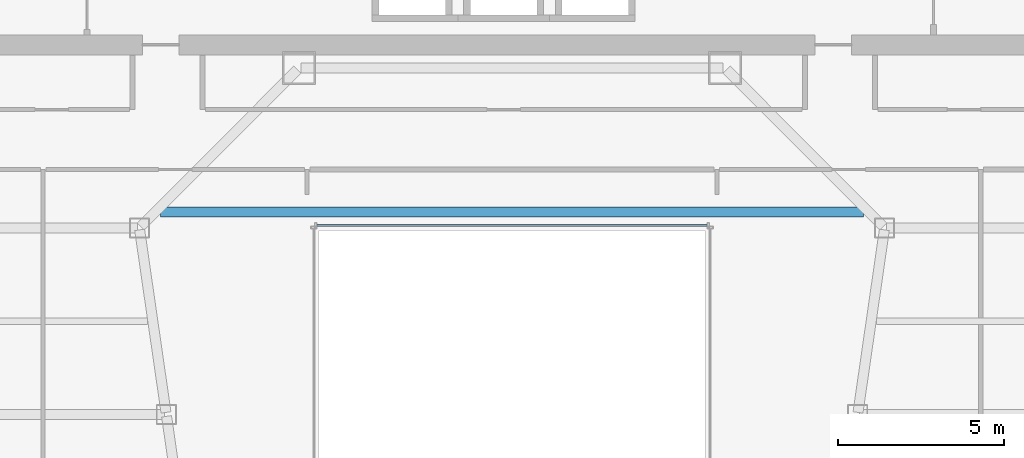
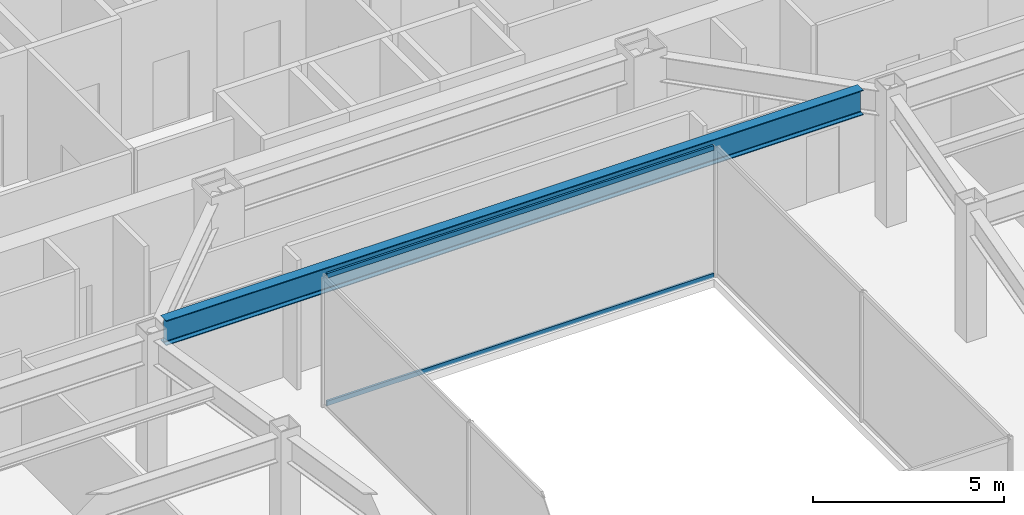
# One storey, part 13 of 37: 2 members, 1 beam, 1 element without a shape of its own.
"""IFC4 building model written with IfcOpenShell, lengths in metres."""

from ifc_helpers import new_model, si_unit, direction, frame, origin, origin_2d, place, context, subcontext, project, spatial, hollow_rectangle, i_section, extrude, material, material_profile, profile_set, type_object, element, aggregate, save


model = new_model("IFC4")

# Units and contexts
model_context = context("Model", 3, precision=1e-05, world=origin(), true_north=direction((0.0, 1.0)))
body_context = subcontext(model_context, "Body", "Model", "MODEL_VIEW")
ifc_project = project(units=[si_unit("LENGTHUNIT", "METRE"), si_unit("AREAUNIT", "SQUARE_METRE"), si_unit("VOLUMEUNIT", "CUBIC_METRE"), si_unit("PLANEANGLEUNIT", "RADIAN"), si_unit("MASSUNIT", "GRAM", prefix="KILO")], contexts=[model_context])

# Site, building, storey
site_placement = place(None, origin())
site = spatial("IfcSite", under=ifc_project, at=site_placement, CompositionType="ELEMENT")
building_placement = place(site_placement, origin())
building = spatial("IfcBuilding", under=site, at=building_placement, Name="Saevonmaru Cultural Tower", CompositionType="ELEMENT")
storey_placement = place(building_placement, frame((0.0, 0.0, 106.0)))
storey = spatial("IfcBuildingStorey", under=building, at=storey_placement, Name="L22", CompositionType="ELEMENT", Elevation=106.0)

# Beam
ifc_material_1 = material(Name="Steel SM420", Category="steel")
ifc_material_profile_1 = material_profile(ifc_material_1, i_section(OverallWidth=0.300048828125, OverallDepth=0.800048828125, WebThickness=0.013916015625, FlangeThickness=0.02587890625, FilletRadius=0.028076171875, at=origin_2d()), Name="H-800x300x14x26")
ifc_profile_set_1 = profile_set([ifc_material_profile_1], Name="Steel SM420")
beam_type = type_object("IfcBeamType", Name="BM-G-H800", PredefinedType="BEAM", material=ifc_profile_set_1)
beam_placement = place(storey_placement, frame((19.4453125, 38.080078125, 3.75), z_axis=(1.0, 0.0, 0.0), x_axis=(0.0, 1.0, 0.0)))
element("IfcBeam", 1, at=beam_placement, inside=storey, type_object=beam_type, Name="L22 Central Link Girder", PredefinedType="BEAM", context=body_context, shape_type="SweptSolid", body=[
    extrude(i_section(OverallWidth=0.300048828125, OverallDepth=0.800048828125, WebThickness=0.013916015625, FlangeThickness=0.02587890625, FilletRadius=0.028076171875, at=origin_2d()), origin(), (0.0, 0.0, 1.0), 21.109375),
])

# Curtain wall, members
ifc_material_2 = material(Name="Satin Bronze Anodised Aluminium", Category="aluminium")
curtain_wall_type = type_object("IfcCurtainWallType", Name="CW-ATR-GLZ", PredefinedType="NOTDEFINED", material=ifc_material_2)
curtain_wall_placement = place(storey_placement, origin())
curtain_wall = element("IfcCurtainWall", 2, at=curtain_wall_placement, inside=storey, type_object=curtain_wall_type, Name="L22 Vertical Atrium Glazed Smoke Screen 3", PredefinedType="NOTDEFINED")
ifc_material_profile_2 = material_profile(ifc_material_2, hollow_rectangle(XDim=0.06494140625, YDim=0.14990234375, WallThickness=0.00390625, at=origin_2d()), Name="ALU-TRAN-150x65x4")
ifc_profile_set_2 = profile_set([ifc_material_profile_2], Name="Satin Bronze Anodised Aluminium")
member_type = type_object("IfcMemberType", Name="TR-CW-INT-150x65", PredefinedType="USERDEFINED", material=ifc_profile_set_2)
member_1_placement = place(storey_placement, frame((35.857421875, 37.669921875, 0.032470703125), z_axis=(-1.0, 0.0, 0.0), x_axis=(0.0, -1.0, 0.0)))
member_1 = element("IfcMember", 3, at=member_1_placement, type_object=member_type, Name="CW-ATR-L22-3 transom 1.1", ObjectType="TRANSOM", PredefinedType="USERDEFINED", context=body_context, shape_type="SweptSolid", body=[
    extrude(hollow_rectangle(XDim=0.06494140625, YDim=0.14990234375, WallThickness=0.00390625, at=origin_2d()), origin(), (0.0, 0.0, 1.0), 11.71484375),
])
member_2_placement = place(storey_placement, frame((35.857421875, 37.669921875, 4.117431640625), z_axis=(-1.0, 0.0, 0.0), x_axis=(0.0, -1.0, 0.0)))
member_2 = element("IfcMember", 4, at=member_2_placement, type_object=member_type, Name="CW-ATR-L22-3 transom 1.2", ObjectType="TRANSOM", PredefinedType="USERDEFINED", context=body_context, shape_type="SweptSolid", body=[
    extrude(hollow_rectangle(XDim=0.06494140625, YDim=0.14990234375, WallThickness=0.00390625, at=origin_2d()), origin(), (0.0, 0.0, 1.0), 11.71484375),
])
aggregate(curtain_wall, [member_1, member_2])

save(model, "model.ifc")
